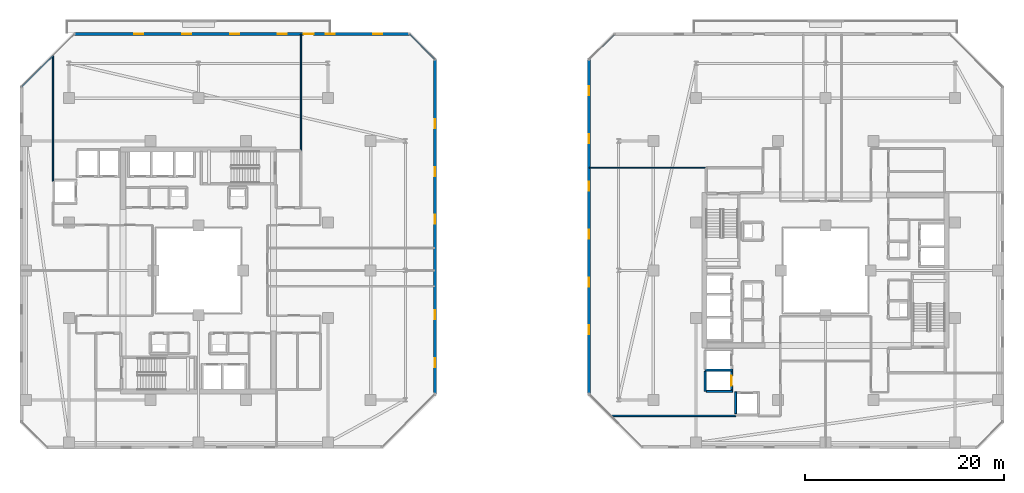
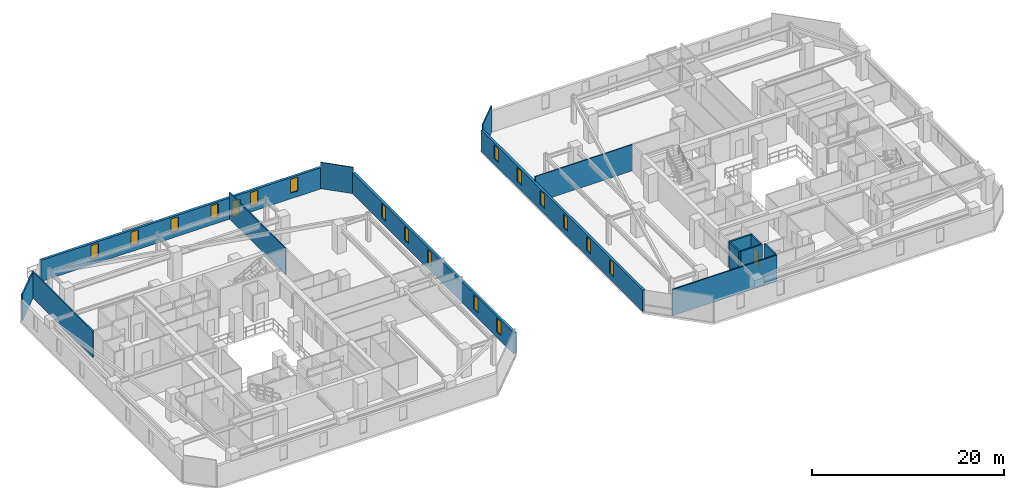
# One storey, part 22 of 33: 17 windows, 15 walls, 2 doors, 19 openings.
"""IFC4 building model written with IfcOpenShell, lengths in metres."""

from ifc_helpers import new_model, si_unit, direction, frame, frame_2d, origin, place, context, subcontext, project, spatial, rectangle, extrude, material, layer, layer_set, type_object, element, fill, save


model = new_model("IFC4")

# Units and contexts
model_context = context("Model", 3, precision=1e-05, world=origin(), true_north=direction((0.0, 1.0)))
body_context = subcontext(model_context, "Body", "Model", "MODEL_VIEW")
ifc_project = project(units=[si_unit("LENGTHUNIT", "METRE"), si_unit("AREAUNIT", "SQUARE_METRE"), si_unit("VOLUMEUNIT", "CUBIC_METRE"), si_unit("PLANEANGLEUNIT", "RADIAN"), si_unit("MASSUNIT", "GRAM", prefix="KILO")], contexts=[model_context])

# Site, building, storey
site_placement = place(None, origin())
site = spatial("IfcSite", under=ifc_project, at=site_placement, CompositionType="ELEMENT")
building_placement = place(site_placement, origin())
building = spatial("IfcBuilding", under=site, at=building_placement, Name="Thornwick Lancets Civic Towers", CompositionType="ELEMENT")
storey_placement = place(building_placement, frame((0.0, 0.0, 185.699951171875)))
storey = spatial("IfcBuildingStorey", under=building, at=storey_placement, Name="L49", CompositionType="ELEMENT", Elevation=185.699951171875)

# Wall, opening, door
ifc_material_1 = material(Name="Concrete blockwork C40/50", Category="masonry")
ifc_layer_1 = layer(ifc_material_1, 0.199951171875, Name="Concrete blockwork C40/50")
ifc_layer_set_1 = layer_set([ifc_layer_1], Name="Concrete blockwork C40/50")
wall_type_1 = type_object("IfcWallType", Name="WALL_COMP_200", PredefinedType="STANDARD", material=ifc_layer_set_1)
wall_1_placement = place(storey_placement, frame((79.050048828125, 15.030029296875, 0.0), z_axis=(0.0, 0.0, 1.0), x_axis=(0.0, 1.0, 0.0)))
wall_1 = element("IfcWall", 1, at=wall_1_placement, inside=storey, type_object=wall_type_1, Name="L49 Hoistway Front Wall PL-BM2", PredefinedType="STANDARD", context=body_context, shape_type="SweptSolid", body=[
    extrude(rectangle(XDim=1.7900390625, YDim=0.199951171875, at=frame_2d((0.89501953125, 0.0))), origin(), (0.0, 0.0, 1.0), 3.340087890625),
])
opening_1_placement = place(wall_1_placement, frame((0.385009765625, 0.0, 0.0)))
opening_1 = element("IfcOpeningElement", 2, at=opening_1_placement, cuts=wall_1, Name="Opening LD-PL-BM2", PredefinedType="OPENING", context=body_context, shape_type="SweptSolid", body=[
    extrude(rectangle(XDim=1.02001953125, YDim=2.06005859375, at=frame_2d((0.510009765625, 1.030029296875))), frame((0.0, 0.10986328125, 0.0), z_axis=(0.0, -1.0, 0.0), x_axis=(1.0, 0.0, 0.0)), (0.0, 0.0, 1.0), 0.219970703125),
])
ifc_material_2 = material(Name="Brushed bronze stainless steel", Category="steel")
door_type_1 = type_object("IfcDoorType", Name="DOOR_LIFT_SLIDE", OperationType="SLIDING_TO_LEFT", PredefinedType="DOOR", material=ifc_material_2)
door_1_placement = place(opening_1_placement, origin())
door_1 = element("IfcDoor", 3, at=door_1_placement, inside=storey, type_object=door_type_1, Name="L49 Sliding Lift Landing Door LD-PL-BM2", OperationType="SLIDING_TO_LEFT", OverallHeight=2.06005859375, OverallWidth=1.02001953125, PredefinedType="DOOR", context=body_context, shape_type="SweptSolid", body=[
    extrude(rectangle(XDim=1.02001953125, YDim=2.06005859375, at=frame_2d((0.510009765625, 1.030029296875))), frame((0.0, 0.02490234375, 0.0), z_axis=(0.0, -1.0, 0.0), x_axis=(1.0, 0.0, 0.0)), (0.0, 0.0, 1.0), 0.050048828125),
])
fill(opening_1, door_1)

# Walls
wall_2_placement = place(storey_placement, frame((76.402099609375, 16.97509765625, 0.0), z_axis=(0.0, 0.0, 1.0), x_axis=(1.0, 0.0, 0.0)))
element("IfcWall", 4, at=wall_2_placement, inside=storey, type_object=wall_type_1, Name="L49 Hoistway Shaft Wall PL-BM1 S", PredefinedType="STANDARD", context=body_context, shape_type="SweptSolid", body=[
    extrude(rectangle(XDim=2.745849609375, YDim=0.199951171875, at=frame_2d((1.373046875, 0.0))), origin(), (0.0, 0.0, 1.0), 3.340087890625),
])
wall_3_placement = place(storey_placement, frame((76.39990234375, 14.85205078125, 0.0), z_axis=(0.0, 0.0, 1.0), x_axis=(0.0, 1.0, 0.0)))
element("IfcWall", 5, at=wall_3_placement, inside=storey, type_object=wall_type_1, Name="L49 Hoistway Shaft Wall PL-BM1 W", PredefinedType="STANDARD", context=body_context, shape_type="SweptSolid", body=[
    extrude(rectangle(XDim=2.015869140625, YDim=0.199951171875, at=frame_2d((1.0078125, 0.0))), origin(), (0.0, 0.0, 1.0), 3.340087890625),
])
wall_4_placement = place(storey_placement, frame((76.511962890625, 14.85009765625, 0.0), z_axis=(0.0, 0.0, 1.0), x_axis=(1.0, 0.0, 0.0)))
element("IfcWall", 6, at=wall_4_placement, inside=storey, type_object=wall_type_1, Name="L49 Hoistway Shaft Wall PL-BM2 S", PredefinedType="STANDARD", context=body_context, shape_type="SweptSolid", body=[
    extrude(rectangle(XDim=2.635986328125, YDim=0.199951171875, at=frame_2d((1.31787109375, 0.0))), origin(), (0.0, 0.0, 1.0), 3.340087890625),
])
wall_5_placement = place(storey_placement, frame((79.449951171875, 12.612060546875, 0.0), z_axis=(0.0, 0.0, 1.0), x_axis=(0.0, 1.0, 0.0)))
element("IfcWall", 7, at=wall_5_placement, inside=storey, type_object=wall_type_1, Name="L49 Hoistway Shaft Wall PL-BM3 W", PredefinedType="STANDARD", context=body_context, shape_type="SweptSolid", body=[
    extrude(rectangle(XDim=2.18603515625, YDim=0.199951171875, at=frame_2d((1.093017578125, 0.0))), origin(), (0.0, 0.0, 1.0), 3.340087890625),
])

# Wall, openings, windows
ifc_material_3 = material(Name="Insulated russet terracotta rainscreen on concrete C40/50", Category="masonry")
ifc_layer_2 = layer(ifc_material_3, 0.300048828125, Name="Insulated russet terracotta rainscreen on concrete C40/50")
ifc_layer_set_2 = layer_set([ifc_layer_2], Name="Insulated russet terracotta rainscreen on concrete C40/50")
wall_type_2 = type_object("IfcWallType", Name="WALL_EXT_RUSSET_300", PredefinedType="STANDARD", material=ifc_layer_set_2)
wall_6_placement = place(storey_placement, frame((49.255615234375, 14.576416015625, 0.0), z_axis=(0.0, 0.0, 1.0), x_axis=(0.000268805477, 0.999999963872, 0.0)))
wall_6 = element("IfcWall", 8, at=wall_6_placement, inside=storey, type_object=wall_type_2, Name="L49 Tower A Terracotta Facade Wall E2", PredefinedType="STANDARD", context=body_context, shape_type="SweptSolid", body=[
    extrude(rectangle(XDim=33.60498046875, YDim=0.300048828125, at=frame_2d((16.802490234375, 0.0))), origin(), (0.0, 0.0, 1.0), 2.699951171875),
])
opening_2_placement = place(wall_6_placement, frame((2.699951171875, 0.0, 0.719970703125)))
opening_2 = element("IfcOpeningElement", 9, at=opening_2_placement, cuts=wall_6, Name="Opening WL-01", PredefinedType="OPENING", context=body_context, shape_type="SweptSolid", body=[
    extrude(rectangle(XDim=0.89990234375, YDim=1.75, at=frame_2d((0.449951171875, 0.875))), frame((0.0, 0.16015625, 0.0), z_axis=(0.0, -1.0, 0.0), x_axis=(1.0, 0.0, 0.0)), (0.0, 0.0, 1.0), 0.320068359375),
])
opening_3_placement = place(wall_6_placement, frame((7.5, 0.0, 0.719970703125)))
opening_3 = element("IfcOpeningElement", 10, at=opening_3_placement, cuts=wall_6, Name="Opening WL-01", PredefinedType="OPENING", context=body_context, shape_type="SweptSolid", body=[
    extrude(rectangle(XDim=0.89990234375, YDim=1.75, at=frame_2d((0.449951171875, 0.875))), frame((0.0, 0.16015625, 0.0), z_axis=(0.0, -1.0, 0.0), x_axis=(1.0, 0.0, 0.0)), (0.0, 0.0, 1.0), 0.320068359375),
])
opening_4_placement = place(wall_6_placement, frame((17.10009765625, 0.0, 0.719970703125)))
opening_4 = element("IfcOpeningElement", 11, at=opening_4_placement, cuts=wall_6, Name="Opening WL-01", PredefinedType="OPENING", context=body_context, shape_type="SweptSolid", body=[
    extrude(rectangle(XDim=0.89990234375, YDim=1.75, at=frame_2d((0.449951171875, 0.875))), frame((0.0, 0.16015625, 0.0), z_axis=(0.0, -1.0, 0.0), x_axis=(1.0, 0.0, 0.0)), (0.0, 0.0, 1.0), 0.320068359375),
])
opening_5_placement = place(wall_6_placement, frame((21.89990234375, 0.0, 0.719970703125)))
opening_5 = element("IfcOpeningElement", 12, at=opening_5_placement, cuts=wall_6, Name="Opening WL-01", PredefinedType="OPENING", context=body_context, shape_type="SweptSolid", body=[
    extrude(rectangle(XDim=0.89990234375, YDim=1.75, at=frame_2d((0.449951171875, 0.875))), frame((0.0, 0.16015625, 0.0), z_axis=(0.0, -1.0, 0.0), x_axis=(1.0, 0.0, 0.0)), (0.0, 0.0, 1.0), 0.320068359375),
])
opening_6_placement = place(wall_6_placement, frame((26.699951171875, 0.0, 0.719970703125)))
opening_6 = element("IfcOpeningElement", 13, at=opening_6_placement, cuts=wall_6, Name="Opening WL-01", PredefinedType="OPENING", context=body_context, shape_type="SweptSolid", body=[
    extrude(rectangle(XDim=0.89990234375, YDim=1.75, at=frame_2d((0.449951171875, 0.875))), frame((0.0, 0.16015625, 0.0), z_axis=(0.0, -1.0, 0.0), x_axis=(1.0, 0.0, 0.0)), (0.0, 0.0, 1.0), 0.320068359375),
])
ifc_material_4 = material(Name="Clear low-e double glazing in bronze frame", Category="glass")
window_type = type_object("IfcWindowType", Name="WIN_LANCET_900", PartitioningType="SINGLE_PANEL", PredefinedType="WINDOW", material=ifc_material_4)
window_1_placement = place(opening_2_placement, origin())
window_1 = element("IfcWindow", 14, at=window_1_placement, inside=storey, type_object=window_type, Name="L49 Tower A Staggered Lancet Window E2-1", OverallHeight=1.75, OverallWidth=0.89990234375, PartitioningType="SINGLE_PANEL", PredefinedType="WINDOW", context=body_context, shape_type="SweptSolid", body=[
    extrude(rectangle(XDim=0.89990234375, YDim=1.75, at=frame_2d((0.449951171875, 0.875))), frame((0.0, 0.030029296875, 0.0), z_axis=(0.0, -1.0, 0.0), x_axis=(1.0, 0.0, 0.0)), (0.0, 0.0, 1.0), 0.06005859375),
])
fill(opening_2, window_1)
window_2_placement = place(opening_3_placement, origin())
window_2 = element("IfcWindow", 15, at=window_2_placement, inside=storey, type_object=window_type, Name="L49 Tower A Staggered Lancet Window E2-2", OverallHeight=1.75, OverallWidth=0.89990234375, PartitioningType="SINGLE_PANEL", PredefinedType="WINDOW", context=body_context, shape_type="SweptSolid", body=[
    extrude(rectangle(XDim=0.89990234375, YDim=1.75, at=frame_2d((0.449951171875, 0.875))), frame((0.0, 0.030029296875, 0.0), z_axis=(0.0, -1.0, 0.0), x_axis=(1.0, 0.0, 0.0)), (0.0, 0.0, 1.0), 0.06005859375),
])
fill(opening_3, window_2)
window_3_placement = place(opening_4_placement, origin())
window_3 = element("IfcWindow", 16, at=window_3_placement, inside=storey, type_object=window_type, Name="L49 Tower A Staggered Lancet Window E2-3", OverallHeight=1.75, OverallWidth=0.89990234375, PartitioningType="SINGLE_PANEL", PredefinedType="WINDOW", context=body_context, shape_type="SweptSolid", body=[
    extrude(rectangle(XDim=0.89990234375, YDim=1.75, at=frame_2d((0.449951171875, 0.875))), frame((0.0, 0.030029296875, 0.0), z_axis=(0.0, -1.0, 0.0), x_axis=(1.0, 0.0, 0.0)), (0.0, 0.0, 1.0), 0.06005859375),
])
fill(opening_4, window_3)
window_4_placement = place(opening_5_placement, origin())
window_4 = element("IfcWindow", 17, at=window_4_placement, inside=storey, type_object=window_type, Name="L49 Tower A Staggered Lancet Window E2-4", OverallHeight=1.75, OverallWidth=0.89990234375, PartitioningType="SINGLE_PANEL", PredefinedType="WINDOW", context=body_context, shape_type="SweptSolid", body=[
    extrude(rectangle(XDim=0.89990234375, YDim=1.75, at=frame_2d((0.449951171875, 0.875))), frame((0.0, 0.030029296875, 0.0), z_axis=(0.0, -1.0, 0.0), x_axis=(1.0, 0.0, 0.0)), (0.0, 0.0, 1.0), 0.06005859375),
])
fill(opening_5, window_4)
window_5_placement = place(opening_6_placement, origin())
window_5 = element("IfcWindow", 18, at=window_5_placement, inside=storey, type_object=window_type, Name="L49 Tower A Staggered Lancet Window E2-5", OverallHeight=1.75, OverallWidth=0.89990234375, PartitioningType="SINGLE_PANEL", PredefinedType="WINDOW", context=body_context, shape_type="SweptSolid", body=[
    extrude(rectangle(XDim=0.89990234375, YDim=1.75, at=frame_2d((0.449951171875, 0.875))), frame((0.0, 0.030029296875, 0.0), z_axis=(0.0, -1.0, 0.0), x_axis=(1.0, 0.0, 0.0)), (0.0, 0.0, 1.0), 0.06005859375),
])
fill(opening_6, window_5)

# Wall, openings, door, windows
wall_7_placement = place(storey_placement, frame((46.681396484375, 50.7646484375, 0.0), z_axis=(0.0, 0.0, 1.0), x_axis=(-0.999999963872, -0.000268805477, 0.0)))
wall_7 = element("IfcWall", 19, at=wall_7_placement, inside=storey, type_object=wall_type_2, Name="L49 Tower A Terracotta Facade Wall E4", PredefinedType="STANDARD", context=body_context, shape_type="SweptSolid", body=[
    extrude(rectangle(XDim=33.60498046875, YDim=0.300048828125, at=frame_2d((16.802490234375, 0.0))), origin(), (0.0, 0.0, 1.0), 2.699951171875),
])
opening_7_placement = place(wall_7_placement, frame((9.6025390625, 0.0, 0.0)))
opening_7 = element("IfcOpeningElement", 20, at=opening_7_placement, cuts=wall_7, Name="Opening D-BL-L49-AN", PredefinedType="OPENING", context=body_context, shape_type="SweptSolid", body=[
    extrude(rectangle(XDim=1.0, YDim=2.080078125, at=frame_2d((0.5, 1.0400390625))), frame((0.0, 0.16015625, 0.0), z_axis=(0.0, -1.0, 0.0), x_axis=(1.0, 0.0, 0.0)), (0.0, 0.0, 1.0), 0.320068359375),
])
opening_8_placement = place(wall_7_placement, frame((2.699951171875, 0.0, 0.719970703125)))
opening_8 = element("IfcOpeningElement", 21, at=opening_8_placement, cuts=wall_7, Name="Opening WL-01", PredefinedType="OPENING", context=body_context, shape_type="SweptSolid", body=[
    extrude(rectangle(XDim=0.89990234375, YDim=1.75, at=frame_2d((0.449951171875, 0.875))), frame((0.0, 0.16015625, 0.0), z_axis=(0.0, -1.0, 0.0), x_axis=(1.0, 0.0, 0.0)), (0.0, 0.0, 1.0), 0.320068359375),
])
opening_9_placement = place(wall_7_placement, frame((7.5, 0.0, 0.719970703125)))
opening_9 = element("IfcOpeningElement", 22, at=opening_9_placement, cuts=wall_7, Name="Opening WL-01", PredefinedType="OPENING", context=body_context, shape_type="SweptSolid", body=[
    extrude(rectangle(XDim=0.89990234375, YDim=1.75, at=frame_2d((0.449951171875, 0.875))), frame((0.0, 0.16015625, 0.0), z_axis=(0.0, -1.0, 0.0), x_axis=(1.0, 0.0, 0.0)), (0.0, 0.0, 1.0), 0.320068359375),
])
opening_10_placement = place(wall_7_placement, frame((12.300048828125, 0.0, 0.719970703125)))
opening_10 = element("IfcOpeningElement", 23, at=opening_10_placement, cuts=wall_7, Name="Opening WL-01", PredefinedType="OPENING", context=body_context, shape_type="SweptSolid", body=[
    extrude(rectangle(XDim=0.89990234375, YDim=1.75, at=frame_2d((0.449951171875, 0.875))), frame((0.0, 0.16015625, 0.0), z_axis=(0.0, -1.0, 0.0), x_axis=(1.0, 0.0, 0.0)), (0.0, 0.0, 1.0), 0.320068359375),
])
opening_11_placement = place(wall_7_placement, frame((17.10009765625, 0.0, 0.719970703125)))
opening_11 = element("IfcOpeningElement", 24, at=opening_11_placement, cuts=wall_7, Name="Opening WL-01", PredefinedType="OPENING", context=body_context, shape_type="SweptSolid", body=[
    extrude(rectangle(XDim=0.89990234375, YDim=1.75, at=frame_2d((0.449951171875, 0.875))), frame((0.0, 0.16015625, 0.0), z_axis=(0.0, -1.0, 0.0), x_axis=(1.0, 0.0, 0.0)), (0.0, 0.0, 1.0), 0.320068359375),
])
opening_12_placement = place(wall_7_placement, frame((21.89990234375, 0.0, 0.719970703125)))
opening_12 = element("IfcOpeningElement", 25, at=opening_12_placement, cuts=wall_7, Name="Opening WL-01", PredefinedType="OPENING", context=body_context, shape_type="SweptSolid", body=[
    extrude(rectangle(XDim=0.89990234375, YDim=1.75, at=frame_2d((0.449951171875, 0.875))), frame((0.0, 0.16015625, 0.0), z_axis=(0.0, -1.0, 0.0), x_axis=(1.0, 0.0, 0.0)), (0.0, 0.0, 1.0), 0.320068359375),
])
opening_13_placement = place(wall_7_placement, frame((26.699951171875, 0.0, 0.719970703125)))
opening_13 = element("IfcOpeningElement", 26, at=opening_13_placement, cuts=wall_7, Name="Opening WL-01", PredefinedType="OPENING", context=body_context, shape_type="SweptSolid", body=[
    extrude(rectangle(XDim=0.89990234375, YDim=1.75, at=frame_2d((0.449951171875, 0.875))), frame((0.0, 0.16015625, 0.0), z_axis=(0.0, -1.0, 0.0), x_axis=(1.0, 0.0, 0.0)), (0.0, 0.0, 1.0), 0.320068359375),
])
ifc_material_5 = material(Name="Thermally broken glazed loggia doorset")
door_type_2 = type_object("IfcDoorType", Name="DOOR_BALC_1000", OperationType="NOTDEFINED", PredefinedType="DOOR", material=ifc_material_5)
door_2_placement = place(opening_7_placement, origin())
door_2 = element("IfcDoor", 27, at=door_2_placement, inside=storey, type_object=door_type_2, Name="L49 Tower A Loggia Balcony Door N", OperationType="SINGLE_SWING_RIGHT", OverallHeight=2.080078125, OverallWidth=1.0, PredefinedType="DOOR", context=body_context, shape_type="SweptSolid", body=[
    extrude(rectangle(XDim=1.0, YDim=2.080078125, at=frame_2d((0.5, 1.0400390625))), frame((0.0, 0.02490234375, 0.0), z_axis=(0.0, -1.0, 0.0), x_axis=(1.0, 0.0, 0.0)), (0.0, 0.0, 1.0), 0.050048828125),
])
fill(opening_7, door_2)
window_6_placement = place(opening_8_placement, origin())
window_6 = element("IfcWindow", 28, at=window_6_placement, inside=storey, type_object=window_type, Name="L49 Tower A Staggered Lancet Window E4-1", OverallHeight=1.75, OverallWidth=0.89990234375, PartitioningType="SINGLE_PANEL", PredefinedType="WINDOW", context=body_context, shape_type="SweptSolid", body=[
    extrude(rectangle(XDim=0.89990234375, YDim=1.75, at=frame_2d((0.449951171875, 0.875))), frame((0.0, 0.030029296875, 0.0), z_axis=(0.0, -1.0, 0.0), x_axis=(1.0, 0.0, 0.0)), (0.0, 0.0, 1.0), 0.06005859375),
])
fill(opening_8, window_6)
window_7_placement = place(opening_9_placement, origin())
window_7 = element("IfcWindow", 29, at=window_7_placement, inside=storey, type_object=window_type, Name="L49 Tower A Staggered Lancet Window E4-2", OverallHeight=1.75, OverallWidth=0.89990234375, PartitioningType="SINGLE_PANEL", PredefinedType="WINDOW", context=body_context, shape_type="SweptSolid", body=[
    extrude(rectangle(XDim=0.89990234375, YDim=1.75, at=frame_2d((0.449951171875, 0.875))), frame((0.0, 0.030029296875, 0.0), z_axis=(0.0, -1.0, 0.0), x_axis=(1.0, 0.0, 0.0)), (0.0, 0.0, 1.0), 0.06005859375),
])
fill(opening_9, window_7)
window_8_placement = place(opening_10_placement, origin())
window_8 = element("IfcWindow", 30, at=window_8_placement, inside=storey, type_object=window_type, Name="L49 Tower A Staggered Lancet Window E4-3", OverallHeight=1.75, OverallWidth=0.89990234375, PartitioningType="SINGLE_PANEL", PredefinedType="WINDOW", context=body_context, shape_type="SweptSolid", body=[
    extrude(rectangle(XDim=0.89990234375, YDim=1.75, at=frame_2d((0.449951171875, 0.875))), frame((0.0, 0.030029296875, 0.0), z_axis=(0.0, -1.0, 0.0), x_axis=(1.0, 0.0, 0.0)), (0.0, 0.0, 1.0), 0.06005859375),
])
fill(opening_10, window_8)
window_9_placement = place(opening_11_placement, origin())
window_9 = element("IfcWindow", 31, at=window_9_placement, inside=storey, type_object=window_type, Name="L49 Tower A Staggered Lancet Window E4-4", OverallHeight=1.75, OverallWidth=0.89990234375, PartitioningType="SINGLE_PANEL", PredefinedType="WINDOW", context=body_context, shape_type="SweptSolid", body=[
    extrude(rectangle(XDim=0.89990234375, YDim=1.75, at=frame_2d((0.449951171875, 0.875))), frame((0.0, 0.030029296875, 0.0), z_axis=(0.0, -1.0, 0.0), x_axis=(1.0, 0.0, 0.0)), (0.0, 0.0, 1.0), 0.06005859375),
])
fill(opening_11, window_9)
window_10_placement = place(opening_12_placement, origin())
window_10 = element("IfcWindow", 32, at=window_10_placement, inside=storey, type_object=window_type, Name="L49 Tower A Staggered Lancet Window E4-5", OverallHeight=1.75, OverallWidth=0.89990234375, PartitioningType="SINGLE_PANEL", PredefinedType="WINDOW", context=body_context, shape_type="SweptSolid", body=[
    extrude(rectangle(XDim=0.89990234375, YDim=1.75, at=frame_2d((0.449951171875, 0.875))), frame((0.0, 0.030029296875, 0.0), z_axis=(0.0, -1.0, 0.0), x_axis=(1.0, 0.0, 0.0)), (0.0, 0.0, 1.0), 0.06005859375),
])
fill(opening_12, window_10)
window_11_placement = place(opening_13_placement, origin())
window_11 = element("IfcWindow", 33, at=window_11_placement, inside=storey, type_object=window_type, Name="L49 Tower A Staggered Lancet Window E4-6", OverallHeight=1.75, OverallWidth=0.89990234375, PartitioningType="SINGLE_PANEL", PredefinedType="WINDOW", context=body_context, shape_type="SweptSolid", body=[
    extrude(rectangle(XDim=0.89990234375, YDim=1.75, at=frame_2d((0.449951171875, 0.875))), frame((0.0, 0.030029296875, 0.0), z_axis=(0.0, -1.0, 0.0), x_axis=(1.0, 0.0, 0.0)), (0.0, 0.0, 1.0), 0.06005859375),
])
fill(opening_13, window_11)

# Wall, openings, windows
wall_8_placement = place(storey_placement, frame((64.7353515625, 48.181396484375, 0.0), z_axis=(0.0, 0.0, 1.0), x_axis=(0.000268805477, -0.999999963872, 0.0)))
wall_8 = element("IfcWall", 34, at=wall_8_placement, inside=storey, type_object=wall_type_2, Name="L49 Tower B Terracotta Facade Wall E6", PredefinedType="STANDARD", context=body_context, shape_type="SweptSolid", body=[
    extrude(rectangle(XDim=33.60498046875, YDim=0.300048828125, at=frame_2d((16.802490234375, 0.0))), origin(), (0.0, 0.0, 1.0), 2.699951171875),
])
opening_14_placement = place(wall_8_placement, frame((2.699951171875, 0.0, 0.719970703125)))
opening_14 = element("IfcOpeningElement", 35, at=opening_14_placement, cuts=wall_8, Name="Opening WL-01", PredefinedType="OPENING", context=body_context, shape_type="SweptSolid", body=[
    extrude(rectangle(XDim=0.89990234375, YDim=1.75, at=frame_2d((0.449951171875, 0.875))), frame((0.0, 0.16015625, 0.0), z_axis=(0.0, -1.0, 0.0), x_axis=(1.0, 0.0, 0.0)), (0.0, 0.0, 1.0), 0.320068359375),
])
opening_15_placement = place(wall_8_placement, frame((7.5, 0.0, 0.719970703125)))
opening_15 = element("IfcOpeningElement", 36, at=opening_15_placement, cuts=wall_8, Name="Opening WL-01", PredefinedType="OPENING", context=body_context, shape_type="SweptSolid", body=[
    extrude(rectangle(XDim=0.89990234375, YDim=1.75, at=frame_2d((0.449951171875, 0.875))), frame((0.0, 0.16015625, 0.0), z_axis=(0.0, -1.0, 0.0), x_axis=(1.0, 0.0, 0.0)), (0.0, 0.0, 1.0), 0.320068359375),
])
opening_16_placement = place(wall_8_placement, frame((12.300048828125, 0.0, 0.719970703125)))
opening_16 = element("IfcOpeningElement", 37, at=opening_16_placement, cuts=wall_8, Name="Opening WL-01", PredefinedType="OPENING", context=body_context, shape_type="SweptSolid", body=[
    extrude(rectangle(XDim=0.89990234375, YDim=1.75, at=frame_2d((0.449951171875, 0.875))), frame((0.0, 0.16015625, 0.0), z_axis=(0.0, -1.0, 0.0), x_axis=(1.0, 0.0, 0.0)), (0.0, 0.0, 1.0), 0.320068359375),
])
opening_17_placement = place(wall_8_placement, frame((17.10009765625, 0.0, 0.719970703125)))
opening_17 = element("IfcOpeningElement", 38, at=opening_17_placement, cuts=wall_8, Name="Opening WL-01", PredefinedType="OPENING", context=body_context, shape_type="SweptSolid", body=[
    extrude(rectangle(XDim=0.89990234375, YDim=1.75, at=frame_2d((0.449951171875, 0.875))), frame((0.0, 0.16015625, 0.0), z_axis=(0.0, -1.0, 0.0), x_axis=(1.0, 0.0, 0.0)), (0.0, 0.0, 1.0), 0.320068359375),
])
opening_18_placement = place(wall_8_placement, frame((21.89990234375, 0.0, 0.719970703125)))
opening_18 = element("IfcOpeningElement", 39, at=opening_18_placement, cuts=wall_8, Name="Opening WL-01", PredefinedType="OPENING", context=body_context, shape_type="SweptSolid", body=[
    extrude(rectangle(XDim=0.89990234375, YDim=1.75, at=frame_2d((0.449951171875, 0.875))), frame((0.0, 0.16015625, 0.0), z_axis=(0.0, -1.0, 0.0), x_axis=(1.0, 0.0, 0.0)), (0.0, 0.0, 1.0), 0.320068359375),
])
opening_19_placement = place(wall_8_placement, frame((26.699951171875, 0.0, 0.719970703125)))
opening_19 = element("IfcOpeningElement", 40, at=opening_19_placement, cuts=wall_8, Name="Opening WL-01", PredefinedType="OPENING", context=body_context, shape_type="SweptSolid", body=[
    extrude(rectangle(XDim=0.89990234375, YDim=1.75, at=frame_2d((0.449951171875, 0.875))), frame((0.0, 0.16015625, 0.0), z_axis=(0.0, -1.0, 0.0), x_axis=(1.0, 0.0, 0.0)), (0.0, 0.0, 1.0), 0.320068359375),
])
window_12_placement = place(opening_14_placement, origin())
window_12 = element("IfcWindow", 41, at=window_12_placement, inside=storey, type_object=window_type, Name="L49 Tower B Staggered Lancet Window E6-1", OverallHeight=1.75, OverallWidth=0.89990234375, PartitioningType="SINGLE_PANEL", PredefinedType="WINDOW", context=body_context, shape_type="SweptSolid", body=[
    extrude(rectangle(XDim=0.89990234375, YDim=1.75, at=frame_2d((0.449951171875, 0.875))), frame((0.0, 0.030029296875, 0.0), z_axis=(0.0, -1.0, 0.0), x_axis=(1.0, 0.0, 0.0)), (0.0, 0.0, 1.0), 0.06005859375),
])
fill(opening_14, window_12)
window_13_placement = place(opening_15_placement, origin())
window_13 = element("IfcWindow", 42, at=window_13_placement, inside=storey, type_object=window_type, Name="L49 Tower B Staggered Lancet Window E6-2", OverallHeight=1.75, OverallWidth=0.89990234375, PartitioningType="SINGLE_PANEL", PredefinedType="WINDOW", context=body_context, shape_type="SweptSolid", body=[
    extrude(rectangle(XDim=0.89990234375, YDim=1.75, at=frame_2d((0.449951171875, 0.875))), frame((0.0, 0.030029296875, 0.0), z_axis=(0.0, -1.0, 0.0), x_axis=(1.0, 0.0, 0.0)), (0.0, 0.0, 1.0), 0.06005859375),
])
fill(opening_15, window_13)
window_14_placement = place(opening_16_placement, origin())
window_14 = element("IfcWindow", 43, at=window_14_placement, inside=storey, type_object=window_type, Name="L49 Tower B Staggered Lancet Window E6-3", OverallHeight=1.75, OverallWidth=0.89990234375, PartitioningType="SINGLE_PANEL", PredefinedType="WINDOW", context=body_context, shape_type="SweptSolid", body=[
    extrude(rectangle(XDim=0.89990234375, YDim=1.75, at=frame_2d((0.449951171875, 0.875))), frame((0.0, 0.030029296875, 0.0), z_axis=(0.0, -1.0, 0.0), x_axis=(1.0, 0.0, 0.0)), (0.0, 0.0, 1.0), 0.06005859375),
])
fill(opening_16, window_14)
window_15_placement = place(opening_17_placement, origin())
window_15 = element("IfcWindow", 44, at=window_15_placement, inside=storey, type_object=window_type, Name="L49 Tower B Staggered Lancet Window E6-4", OverallHeight=1.75, OverallWidth=0.89990234375, PartitioningType="SINGLE_PANEL", PredefinedType="WINDOW", context=body_context, shape_type="SweptSolid", body=[
    extrude(rectangle(XDim=0.89990234375, YDim=1.75, at=frame_2d((0.449951171875, 0.875))), frame((0.0, 0.030029296875, 0.0), z_axis=(0.0, -1.0, 0.0), x_axis=(1.0, 0.0, 0.0)), (0.0, 0.0, 1.0), 0.06005859375),
])
fill(opening_17, window_15)
window_16_placement = place(opening_18_placement, origin())
window_16 = element("IfcWindow", 45, at=window_16_placement, inside=storey, type_object=window_type, Name="L49 Tower B Staggered Lancet Window E6-5", OverallHeight=1.75, OverallWidth=0.89990234375, PartitioningType="SINGLE_PANEL", PredefinedType="WINDOW", context=body_context, shape_type="SweptSolid", body=[
    extrude(rectangle(XDim=0.89990234375, YDim=1.75, at=frame_2d((0.449951171875, 0.875))), frame((0.0, 0.030029296875, 0.0), z_axis=(0.0, -1.0, 0.0), x_axis=(1.0, 0.0, 0.0)), (0.0, 0.0, 1.0), 0.06005859375),
])
fill(opening_18, window_16)
window_17_placement = place(opening_19_placement, origin())
window_17 = element("IfcWindow", 46, at=window_17_placement, inside=storey, type_object=window_type, Name="L49 Tower B Staggered Lancet Window E6-6", OverallHeight=1.75, OverallWidth=0.89990234375, PartitioningType="SINGLE_PANEL", PredefinedType="WINDOW", context=body_context, shape_type="SweptSolid", body=[
    extrude(rectangle(XDim=0.89990234375, YDim=1.75, at=frame_2d((0.449951171875, 0.875))), frame((0.0, 0.030029296875, 0.0), z_axis=(0.0, -1.0, 0.0), x_axis=(1.0, 0.0, 0.0)), (0.0, 0.0, 1.0), 0.06005859375),
])
fill(opening_19, window_17)

# Walls
ifc_material_6 = material(Name="Acoustic gypsum board partition")
ifc_layer_3 = layer(ifc_material_6, 0.1201171875, Name="Acoustic gypsum board partition")
ifc_layer_set_3 = layer_set([ifc_layer_3], Name="Acoustic gypsum board partition")
wall_type_3 = type_object("IfcWallType", Name="WALL_PART_120", PredefinedType="PARTITIONING", material=ifc_layer_set_3)
wall_9_placement = place(storey_placement, frame((35.800048828125, 39.0, 0.0), z_axis=(0.0, 0.0, 1.0), x_axis=(0.0, 1.0, 0.0)))
element("IfcWall", 47, at=wall_9_placement, inside=storey, type_object=wall_type_3, Name="L49 Partition L49-A-E4 E6", PredefinedType="PARTITIONING", context=body_context, shape_type="SweptSolid", body=[
    extrude(rectangle(XDim=11.719970703125, YDim=0.1201171875, at=frame_2d((5.85986328125, 0.0))), origin(), (0.0, 0.0, 1.0), 3.340087890625),
])
wall_10_placement = place(storey_placement, frame((46.725341796875, 50.719970703125, 0.0), z_axis=(0.0, 0.0, 1.0), x_axis=(0.707106781187, -0.707106781187, 0.0)))
element("IfcWall", 48, at=wall_10_placement, inside=storey, type_object=wall_type_3, Name="L49 Partition L49-A-E4 E8", PredefinedType="PARTITIONING", context=body_context, shape_type="SweptSolid", body=[
    extrude(rectangle(XDim=3.52783203125, YDim=0.1201171875, at=frame_2d((1.763916015625, 0.0))), origin(), (0.0, 0.0, 1.0), 3.340087890625),
])
wall_11_placement = place(storey_placement, frame((76.5, 37.300048828125, 0.0), z_axis=(0.0, 0.0, 1.0), x_axis=(-1.0, 0.0, 0.0)))
element("IfcWall", 49, at=wall_11_placement, inside=storey, type_object=wall_type_3, Name="L49 Partition L49-B-E4 E6", PredefinedType="PARTITIONING", context=body_context, shape_type="SweptSolid", body=[
    extrude(rectangle(XDim=11.719970703125, YDim=0.1201171875, at=frame_2d((5.85986328125, 0.0))), origin(), (0.0, 0.0, 1.0), 3.340087890625),
])
wall_12_placement = place(storey_placement, frame((64.780029296875, 48.225341796875, 0.0), z_axis=(0.0, 0.0, 1.0), x_axis=(0.707106781187, 0.707106781187, 0.0)))
element("IfcWall", 50, at=wall_12_placement, inside=storey, type_object=wall_type_3, Name="L49 Partition L49-B-E4 E8", PredefinedType="PARTITIONING", context=body_context, shape_type="SweptSolid", body=[
    extrude(rectangle(XDim=3.52783203125, YDim=0.1201171875, at=frame_2d((1.763916015625, 0.0))), origin(), (0.0, 0.0, 1.0), 3.340087890625),
])
ifc_material_7 = material(Name="Twin-stud acoustic gypsum board")
ifc_layer_4 = layer(ifc_material_7, 0.14990234375, Name="Twin-stud acoustic gypsum board")
ifc_layer_set_4 = layer_set([ifc_layer_4], Name="Twin-stud acoustic gypsum board")
wall_type_4 = type_object("IfcWallType", Name="WALL_PART_150", PredefinedType="PARTITIONING", material=ifc_layer_set_4)
wall_13_placement = place(storey_placement, frame((7.780029296875, 45.456298828125, 0.0), z_axis=(0.0, 0.0, 1.0), x_axis=(0.707079114978, 0.707134446312, 0.0)))
element("IfcWall", 51, at=wall_13_placement, inside=storey, type_object=wall_type_4, Name="L49 Partition L49-A-W2 E5", PredefinedType="PARTITIONING", context=body_context, shape_type="SweptSolid", body=[
    extrude(rectangle(XDim=4.412353515625, YDim=0.14990234375, at=frame_2d((2.2060546875, 0.0))), origin(), (0.0, 0.0, 1.0), 3.340087890625),
])
wall_14_placement = place(storey_placement, frame((10.89990234375, 48.576416015625, 0.0), z_axis=(0.0, 0.0, 1.0), x_axis=(0.0, -1.0, 0.0)))
element("IfcWall", 52, at=wall_14_placement, inside=storey, type_object=wall_type_4, Name="L49 Partition L49-A-W2 E6", PredefinedType="PARTITIONING", context=body_context, shape_type="SweptSolid", body=[
    extrude(rectangle(XDim=12.638427734375, YDim=0.14990234375, at=frame_2d((6.3193359375, 0.0))), origin(), (0.0, 0.0, 1.0), 3.340087890625),
])
wall_15_placement = place(storey_placement, frame((66.923583984375, 12.39990234375, 0.0), z_axis=(0.0, 0.0, 1.0), x_axis=(1.0, 0.0, 0.0)))
element("IfcWall", 53, at=wall_15_placement, inside=storey, type_object=wall_type_4, Name="L49 Partition L49-B-W2 E6", PredefinedType="PARTITIONING", context=body_context, shape_type="SweptSolid", body=[
    extrude(rectangle(XDim=12.5283203125, YDim=0.14990234375, at=frame_2d((6.26416015625, 0.0))), origin(), (0.0, 0.0, 1.0), 3.340087890625),
])

save(model, "model.ifc")
